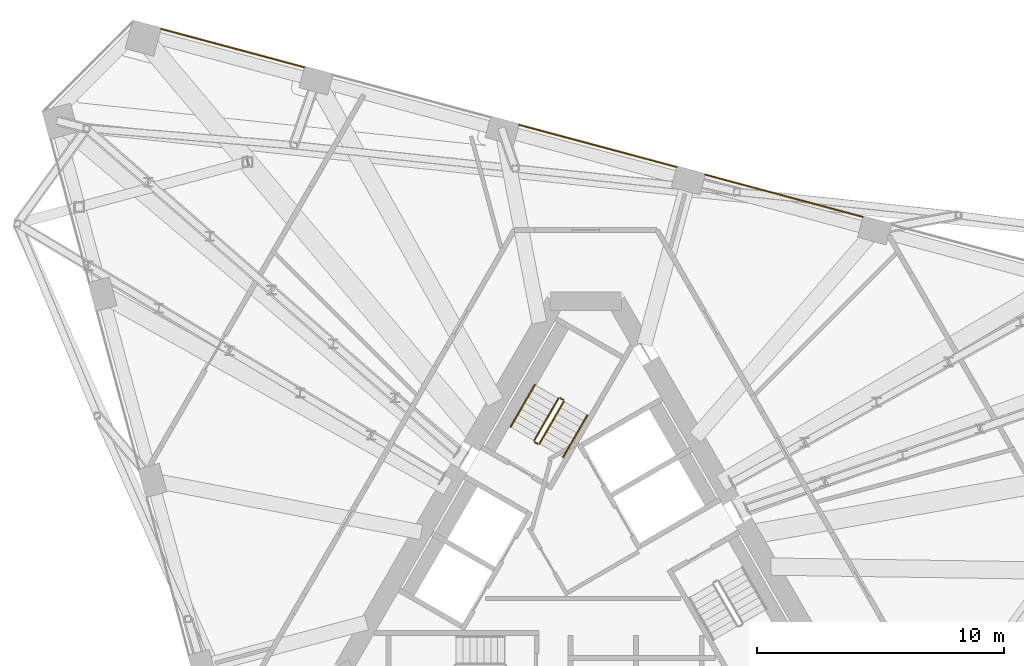
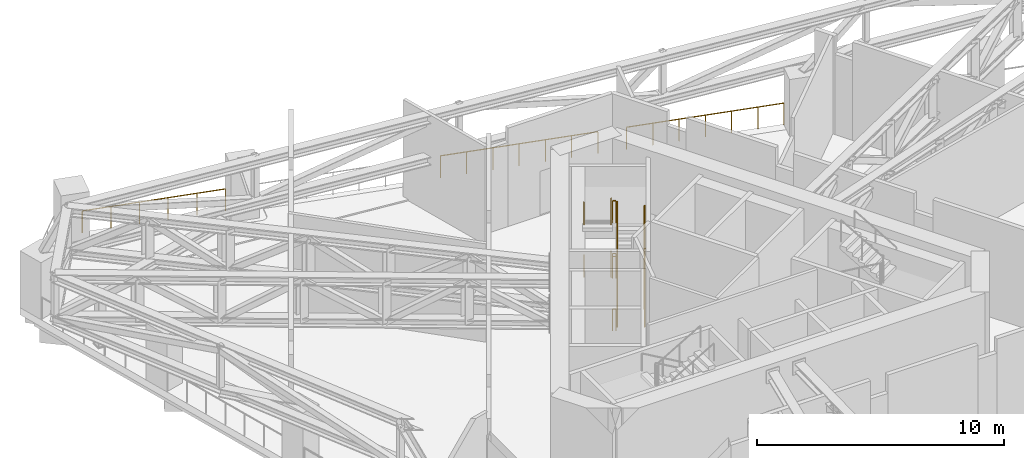
# One storey, part 21 of 22: 15 railings.
"""IFC4 building model written with IfcOpenShell, lengths in metres."""

from ifc_helpers import new_model, si_unit, direction, frame, origin, origin_2d, place, context, subcontext, project, spatial, circle, extrude, material, type_object, element, save


model = new_model("IFC4")

# Units and contexts
model_context = context("Model", 3, precision=1e-05, world=origin(), true_north=direction((0.0, 1.0)))
body_context = subcontext(model_context, "Body", "Model", "MODEL_VIEW")
ifc_project = project(units=[si_unit("LENGTHUNIT", "METRE"), si_unit("AREAUNIT", "SQUARE_METRE"), si_unit("VOLUMEUNIT", "CUBIC_METRE"), si_unit("PLANEANGLEUNIT", "RADIAN"), si_unit("MASSUNIT", "GRAM", prefix="KILO")], contexts=[model_context])

# Site, building, storey
site_placement = place(None, origin())
site = spatial("IfcSite", under=ifc_project, at=site_placement, CompositionType="ELEMENT")
building_placement = place(site_placement, origin())
building = spatial("IfcBuilding", under=site, at=building_placement, Name="Tramontana Tower", CompositionType="ELEMENT")
storey_placement = place(building_placement, frame((0.0, 0.0, 232.0)))
storey = spatial("IfcBuildingStorey", under=building, at=storey_placement, Name="L54", CompositionType="ELEMENT", Elevation=232.0)

# Railings
ifc_material_1 = material(Name="Stainless steel rail and posts", Category="steel")
railing_type_1 = type_object("IfcRailingType", Name="GD2 Terrace guard 1100", PredefinedType="GUARDRAIL", material=ifc_material_1)
railing_1_placement = place(storey_placement, frame((-11.37939453125, 20.079345703125, 0.0)))
element("IfcRailing", 1, at=railing_1_placement, inside=storey, type_object=railing_type_1, Name="Edge guard L54 5", PredefinedType="GUARDRAIL", context=body_context, shape_type="SweptSolid", body=[
    extrude(circle(Radius=0.02392578125, at=origin_2d()), frame((0.0, 0.0, 1.076171875), z_axis=(-0.965919870225, 0.258841272413, 0.0), x_axis=(-0.258841272413, -0.965919870225, 0.0)), (0.0, 0.0, 1.0), 5.994140625),
    extrude(circle(Radius=0.02099609375, at=origin_2d()), origin(), (0.0, 0.0, 1.0), 1.052001953125),
    extrude(circle(Radius=0.02099609375, at=origin_2d()), frame((-1.157958984375, 0.310302734375, 0.0)), (0.0, 0.0, 1.0), 1.052001953125),
    extrude(circle(Radius=0.02099609375, at=origin_2d()), frame((-2.31591796875, 0.62060546875, 0.0)), (0.0, 0.0, 1.0), 1.052001953125),
    extrude(circle(Radius=0.02099609375, at=origin_2d()), frame((-3.473876953125, 0.930908203125, 0.0)), (0.0, 0.0, 1.0), 1.052001953125),
    extrude(circle(Radius=0.02099609375, at=origin_2d()), frame((-4.6318359375, 1.2412109375, 0.0)), (0.0, 0.0, 1.0), 1.052001953125),
    extrude(circle(Radius=0.02099609375, at=origin_2d()), frame((-5.789794921875, 1.551513671875, 0.0)), (0.0, 0.0, 1.0), 1.052001953125),
])
railing_2_placement = place(storey_placement, frame((3.677978515625, 16.044677734375, 0.0)))
element("IfcRailing", 2, at=railing_2_placement, inside=storey, type_object=railing_type_1, Name="Edge guard L54 12", PredefinedType="GUARDRAIL", context=body_context, shape_type="SweptSolid", body=[
    extrude(circle(Radius=0.02392578125, at=origin_2d()), frame((0.0, 0.0, 1.076171875), z_axis=(-0.965921443251, 0.258835402268, 0.0), x_axis=(-0.258835402268, -0.965921443251, 0.0)), (0.0, 0.0, 1.0), 6.593994140625),
    extrude(circle(Radius=0.02099609375, at=origin_2d()), origin(), (0.0, 0.0, 1.0), 1.052001953125),
    extrude(circle(Radius=0.02099609375, at=origin_2d()), frame((-1.0615234375, 0.284423828125, 0.0)), (0.0, 0.0, 1.0), 1.052001953125),
    extrude(circle(Radius=0.02099609375, at=origin_2d()), frame((-2.123046875, 0.56884765625, 0.0)), (0.0, 0.0, 1.0), 1.052001953125),
    extrude(circle(Radius=0.02099609375, at=origin_2d()), frame((-3.1845703125, 0.853515625, 0.0)), (0.0, 0.0, 1.0), 1.052001953125),
    extrude(circle(Radius=0.02099609375, at=origin_2d()), frame((-4.246337890625, 1.137939453125, 0.0)), (0.0, 0.0, 1.0), 1.052001953125),
    extrude(circle(Radius=0.02099609375, at=origin_2d()), frame((-5.307861328125, 1.42236328125, 0.0)), (0.0, 0.0, 1.0), 1.052001953125),
    extrude(circle(Radius=0.02099609375, at=origin_2d()), frame((-6.369384765625, 1.706787109375, 0.0)), (0.0, 0.0, 1.0), 1.052001953125),
])
railing_3_placement = place(storey_placement, frame((11.20654296875, 14.027587890625, 0.0)))
element("IfcRailing", 3, at=railing_3_placement, inside=storey, type_object=railing_type_1, Name="Edge guard L54 14", PredefinedType="GUARDRAIL", context=body_context, shape_type="SweptSolid", body=[
    extrude(circle(Radius=0.02392578125, at=origin_2d()), frame((0.0, 0.0, 1.076171875), z_axis=(-0.965930699287, 0.25880085814, 0.0), x_axis=(-0.25880085814, -0.965930699287, 0.0)), (0.0, 0.0, 1.0), 6.593994140625),
    extrude(circle(Radius=0.02099609375, at=origin_2d()), origin(), (0.0, 0.0, 1.0), 1.052001953125),
    extrude(circle(Radius=0.02099609375, at=origin_2d()), frame((-1.0615234375, 0.284423828125, 0.0)), (0.0, 0.0, 1.0), 1.052001953125),
    extrude(circle(Radius=0.02099609375, at=origin_2d()), frame((-2.123046875, 0.56884765625, 0.0)), (0.0, 0.0, 1.0), 1.052001953125),
    extrude(circle(Radius=0.02099609375, at=origin_2d()), frame((-3.1845703125, 0.853271484375, 0.0)), (0.0, 0.0, 1.0), 1.052001953125),
    extrude(circle(Radius=0.02099609375, at=origin_2d()), frame((-4.246337890625, 1.1376953125, 0.0)), (0.0, 0.0, 1.0), 1.052001953125),
    extrude(circle(Radius=0.02099609375, at=origin_2d()), frame((-5.307861328125, 1.422119140625, 0.0)), (0.0, 0.0, 1.0), 1.052001953125),
    extrude(circle(Radius=0.02099609375, at=origin_2d()), frame((-6.369384765625, 1.70654296875, 0.0)), (0.0, 0.0, 1.0), 1.052001953125),
])
ifc_material_2 = material(Name="Painted steel", Category="steel")
railing_type_2 = type_object("IfcRailingType", Name="STAIR GUARD 1100", PredefinedType="GUARDRAIL", material=ifc_material_2)
railing_4_placement = place(storey_placement, frame((-1.867431640625, 4.865478515625, 0.16259765625)))
element("IfcRailing", 4, at=railing_4_placement, inside=storey, type_object=railing_type_2, Name="L54 ST1 stair guard 1", PredefinedType="GUARDRAIL", context=body_context, shape_type="SweptSolid", body=[
    extrude(circle(Radius=0.02392578125, at=origin_2d()), frame((0.0, 0.0, 1.076171875), z_axis=(0.432431929651, 0.749053115811, 0.501918375746), x_axis=(-0.866042469362, 0.499970440388, 0.0)), (0.0, 0.0, 1.0), 2.26611328125),
    extrude(circle(Radius=0.02099609375, at=origin_2d()), origin(), (0.0, 0.0, 1.0), 1.052001953125),
    extrude(circle(Radius=0.02099609375, at=origin_2d()), frame((0.489990234375, 0.8486328125, 0.56884765625)), (0.0, 0.0, 1.0), 1.052001953125),
    extrude(circle(Radius=0.02099609375, at=origin_2d()), frame((0.97998046875, 1.697509765625, 1.137451171875)), (0.0, 0.0, 1.0), 1.052001953125),
])
railing_5_placement = place(storey_placement, frame((-1.10400390625, 6.68798828125, 1.46240234375)))
element("IfcRailing", 5, at=railing_5_placement, inside=storey, type_object=railing_type_2, Name="L54 ST1 stair guard 2", PredefinedType="GUARDRAIL", context=body_context, shape_type="SweptSolid", body=[
    extrude(circle(Radius=0.02392578125, at=origin_2d()), frame((0.0, 0.0, 1.076171875), z_axis=(-0.432408546523, -0.749012611852, 0.501998960338), x_axis=(0.866042469362, -0.499970440388, 0.0)), (0.0, 0.0, 1.0), 2.266357421875),
    extrude(circle(Radius=0.02099609375, at=origin_2d()), origin(), (0.0, 0.0, 1.0), 1.052001953125),
    extrude(circle(Radius=0.02099609375, at=origin_2d()), frame((-0.489990234375, -0.8486328125, 0.56884765625)), (0.0, 0.0, 1.0), 1.052001953125),
    extrude(circle(Radius=0.02099609375, at=origin_2d()), frame((-0.97998046875, -1.697509765625, 1.1376953125)), (0.0, 0.0, 1.0), 1.052001953125),
])
railing_6_placement = place(storey_placement, frame((-1.867431640625, 4.865478515625, 2.762451171875)))
element("IfcRailing", 6, at=railing_6_placement, inside=storey, type_object=railing_type_2, Name="L54 ST1 stair guard 3", PredefinedType="GUARDRAIL", context=body_context, shape_type="SweptSolid", body=[
    extrude(circle(Radius=0.02392578125, at=origin_2d()), frame((0.0, 0.0, 1.076171875), z_axis=(0.432431929651, 0.749053115811, 0.501918375746), x_axis=(-0.866042469362, 0.499970440388, 0.0)), (0.0, 0.0, 1.0), 2.26611328125),
    extrude(circle(Radius=0.02099609375, at=origin_2d()), origin(), (0.0, 0.0, 1.0), 1.052001953125),
    extrude(circle(Radius=0.02099609375, at=origin_2d()), frame((0.489990234375, 0.8486328125, 0.56884765625)), (0.0, 0.0, 1.0), 1.052001953125),
    extrude(circle(Radius=0.02099609375, at=origin_2d()), frame((0.97998046875, 1.697509765625, 1.137451171875)), (0.0, 0.0, 1.0), 1.052001953125),
])
railing_7_placement = place(storey_placement, frame((-1.10400390625, 6.68798828125, 4.0625)))
element("IfcRailing", 7, at=railing_7_placement, inside=storey, type_object=railing_type_2, Name="L54 ST1 stair guard 4", PredefinedType="GUARDRAIL", context=body_context, shape_type="SweptSolid", body=[
    extrude(circle(Radius=0.02392578125, at=origin_2d()), frame((0.0, 0.0, 1.076171875), z_axis=(-0.432431929651, -0.749053115811, 0.501918375746), x_axis=(0.866042469362, -0.499970440388, 0.0)), (0.0, 0.0, 1.0), 2.26611328125),
    extrude(circle(Radius=0.02099609375, at=origin_2d()), origin(), (0.0, 0.0, 1.0), 1.052001953125),
    extrude(circle(Radius=0.02099609375, at=origin_2d()), frame((-0.489990234375, -0.8486328125, 0.56884765625)), (0.0, 0.0, 1.0), 1.052001953125),
    extrude(circle(Radius=0.02099609375, at=origin_2d()), frame((-0.97998046875, -1.697509765625, 1.137451171875)), (0.0, 0.0, 1.0), 1.052001953125),
])
railing_8_placement = place(storey_placement, frame((-0.90576171875, 6.63134765625, 1.300048828125)))
element("IfcRailing", 8, at=railing_8_placement, inside=storey, type_object=railing_type_2, Name="L54 ST1 stair guard 5", PredefinedType="GUARDRAIL", context=body_context, shape_type="SweptSolid", body=[
    extrude(circle(Radius=0.02392578125, at=origin_2d()), frame((0.0, 0.0, 1.076171875), z_axis=(-0.866131372301, 0.499816412211, 0.0), x_axis=(-0.499816412211, -0.866131372301, 0.0)), (0.0, 0.0, 1.0), 0.14990234375),
    extrude(circle(Radius=0.02099609375, at=origin_2d()), origin(), (0.0, 0.0, 1.0), 1.052001953125),
    extrude(circle(Radius=0.02099609375, at=origin_2d()), frame((-0.1298828125, 0.074951171875, 0.0)), (0.0, 0.0, 1.0), 1.052001953125),
])
railing_9_placement = place(storey_placement, frame((-1.935791015625, 4.84716796875, 2.60009765625)))
element("IfcRailing", 9, at=railing_9_placement, inside=storey, type_object=railing_type_2, Name="L54 ST1 stair guard 6", PredefinedType="GUARDRAIL", context=body_context, shape_type="SweptSolid", body=[
    extrude(circle(Radius=0.02392578125, at=origin_2d()), frame((0.0, 0.0, 1.076171875), z_axis=(-0.865426285481, 0.501036270542, 0.0), x_axis=(-0.501036270542, -0.865426285481, 0.0)), (0.0, 0.0, 1.0), 0.150146484375),
    extrude(circle(Radius=0.02099609375, at=origin_2d()), origin(), (0.0, 0.0, 1.0), 1.052001953125),
    extrude(circle(Radius=0.02099609375, at=origin_2d()), frame((-0.1298828125, 0.0751953125, 0.0)), (0.0, 0.0, 1.0), 1.052001953125),
])
railing_10_placement = place(storey_placement, frame((-0.90576171875, 6.63134765625, 3.89990234375)))
element("IfcRailing", 10, at=railing_10_placement, inside=storey, type_object=railing_type_2, Name="L54 ST1 stair guard 7", PredefinedType="GUARDRAIL", context=body_context, shape_type="SweptSolid", body=[
    extrude(circle(Radius=0.02392578125, at=origin_2d()), frame((0.0, 0.0, 1.076171875), z_axis=(-0.866131372301, 0.499816412211, 0.0), x_axis=(-0.499816412211, -0.866131372301, 0.0)), (0.0, 0.0, 1.0), 0.14990234375),
    extrude(circle(Radius=0.02099609375, at=origin_2d()), origin(), (0.0, 0.0, 1.0), 1.052001953125),
    extrude(circle(Radius=0.02099609375, at=origin_2d()), frame((-0.1298828125, 0.074951171875, 0.0)), (0.0, 0.0, 1.0), 1.052001953125),
])
railing_11_placement = place(storey_placement, frame((-1.935791015625, 4.84716796875, 0.0)))
element("IfcRailing", 11, at=railing_11_placement, inside=storey, type_object=railing_type_2, Name="L54 ST1 stair guard 8", PredefinedType="GUARDRAIL", context=body_context, shape_type="SweptSolid", body=[
    extrude(circle(Radius=0.02392578125, at=origin_2d()), frame((0.0, 0.0, 1.076171875), z_axis=(-0.865426285481, 0.501036270542, 0.0), x_axis=(-0.501036270542, -0.865426285481, 0.0)), (0.0, 0.0, 1.0), 0.150146484375),
    extrude(circle(Radius=0.02099609375, at=origin_2d()), origin(), (0.0, 0.0, 1.0), 1.052001953125),
    extrude(circle(Radius=0.02099609375, at=origin_2d()), frame((-0.1298828125, 0.0751953125, 0.0)), (0.0, 0.0, 1.0), 1.052001953125),
])
ifc_material_3 = material(Name="Painted steel", Category="steel")
railing_type_3 = type_object("IfcRailingType", Name="STAIR HANDRAIL 900", PredefinedType="HANDRAIL", material=ifc_material_3)
railing_12_placement = place(storey_placement, frame((-0.914794921875, 4.315673828125, 0.16259765625)))
element("IfcRailing", 12, at=railing_12_placement, inside=storey, type_object=railing_type_3, Name="L54 ST1 stair handrail 1", PredefinedType="HANDRAIL", context=body_context, shape_type="SweptSolid", body=[
    extrude(circle(Radius=0.02392578125, at=origin_2d()), frame((0.0, 0.0, 0.8759765625), z_axis=(0.432466826973, 0.749005824891, 0.501958880634), x_axis=(-0.866011328839, 0.500024377727, 0.0)), (0.0, 0.0, 1.0), 2.26611328125),
    extrude(circle(Radius=0.02099609375, at=origin_2d()), origin(), (0.0, 0.0, 1.0), 0.851806640625),
    extrude(circle(Radius=0.02099609375, at=origin_2d()), frame((0.489990234375, 0.8486328125, 0.56884765625)), (0.0, 0.0, 1.0), 0.851806640625),
    extrude(circle(Radius=0.02099609375, at=origin_2d()), frame((0.97998046875, 1.697265625, 1.137451171875)), (0.0, 0.0, 1.0), 0.851806640625),
])
railing_13_placement = place(storey_placement, frame((-2.056640625, 7.238037109375, 1.46240234375)))
element("IfcRailing", 13, at=railing_13_placement, inside=storey, type_object=railing_type_3, Name="L54 ST1 stair handrail 2", PredefinedType="HANDRAIL", context=body_context, shape_type="SweptSolid", body=[
    extrude(circle(Radius=0.02392578125, at=origin_2d()), frame((0.0, 0.0, 0.8759765625), z_axis=(-0.432408546523, -0.749012611852, 0.501998960338), x_axis=(0.866042469362, -0.499970440388, 0.0)), (0.0, 0.0, 1.0), 2.266357421875),
    extrude(circle(Radius=0.02099609375, at=origin_2d()), origin(), (0.0, 0.0, 1.0), 0.851806640625),
    extrude(circle(Radius=0.02099609375, at=origin_2d()), frame((-0.489990234375, -0.8486328125, 0.56884765625)), (0.0, 0.0, 1.0), 0.851806640625),
    extrude(circle(Radius=0.02099609375, at=origin_2d()), frame((-0.97998046875, -1.697509765625, 1.1376953125)), (0.0, 0.0, 1.0), 0.851806640625),
])
railing_14_placement = place(storey_placement, frame((-0.914794921875, 4.315673828125, 2.762451171875)))
element("IfcRailing", 14, at=railing_14_placement, inside=storey, type_object=railing_type_3, Name="L54 ST1 stair handrail 3", PredefinedType="HANDRAIL", context=body_context, shape_type="SweptSolid", body=[
    extrude(circle(Radius=0.02392578125, at=origin_2d()), frame((0.0, 0.0, 0.8759765625), z_axis=(0.432466826973, 0.749005824891, 0.501958880634), x_axis=(-0.866011328839, 0.500024377727, 0.0)), (0.0, 0.0, 1.0), 2.26611328125),
    extrude(circle(Radius=0.02099609375, at=origin_2d()), origin(), (0.0, 0.0, 1.0), 0.851806640625),
    extrude(circle(Radius=0.02099609375, at=origin_2d()), frame((0.489990234375, 0.8486328125, 0.56884765625)), (0.0, 0.0, 1.0), 0.851806640625),
    extrude(circle(Radius=0.02099609375, at=origin_2d()), frame((0.97998046875, 1.697265625, 1.137451171875)), (0.0, 0.0, 1.0), 0.851806640625),
])
railing_15_placement = place(storey_placement, frame((-2.056640625, 7.238037109375, 4.0625)))
element("IfcRailing", 15, at=railing_15_placement, inside=storey, type_object=railing_type_3, Name="L54 ST1 stair handrail 4", PredefinedType="HANDRAIL", context=body_context, shape_type="SweptSolid", body=[
    extrude(circle(Radius=0.02392578125, at=origin_2d()), frame((0.0, 0.0, 0.8759765625), z_axis=(-0.432431929651, -0.749053115811, 0.501918375746), x_axis=(0.866042469362, -0.499970440388, 0.0)), (0.0, 0.0, 1.0), 2.26611328125),
    extrude(circle(Radius=0.02099609375, at=origin_2d()), origin(), (0.0, 0.0, 1.0), 0.851806640625),
    extrude(circle(Radius=0.02099609375, at=origin_2d()), frame((-0.489990234375, -0.8486328125, 0.56884765625)), (0.0, 0.0, 1.0), 0.851806640625),
    extrude(circle(Radius=0.02099609375, at=origin_2d()), frame((-0.97998046875, -1.697509765625, 1.137451171875)), (0.0, 0.0, 1.0), 0.851806640625),
])

save(model, "model.ifc")
